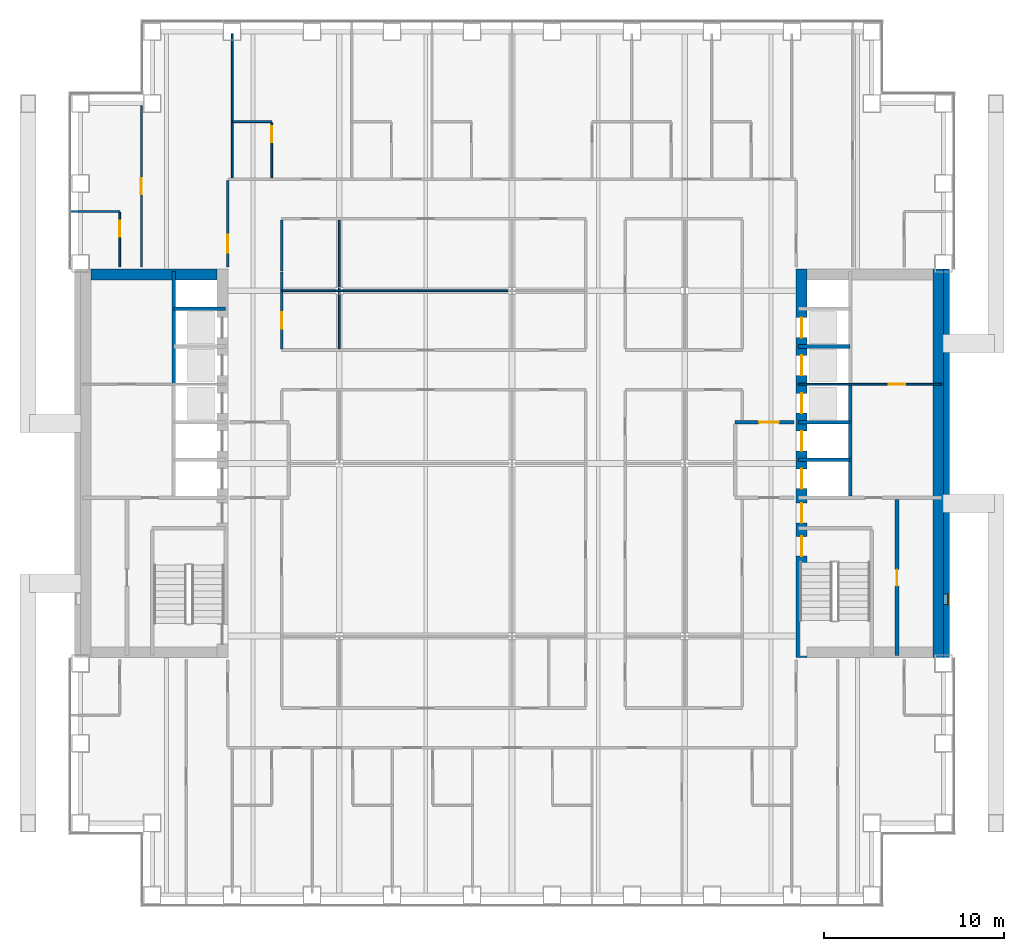
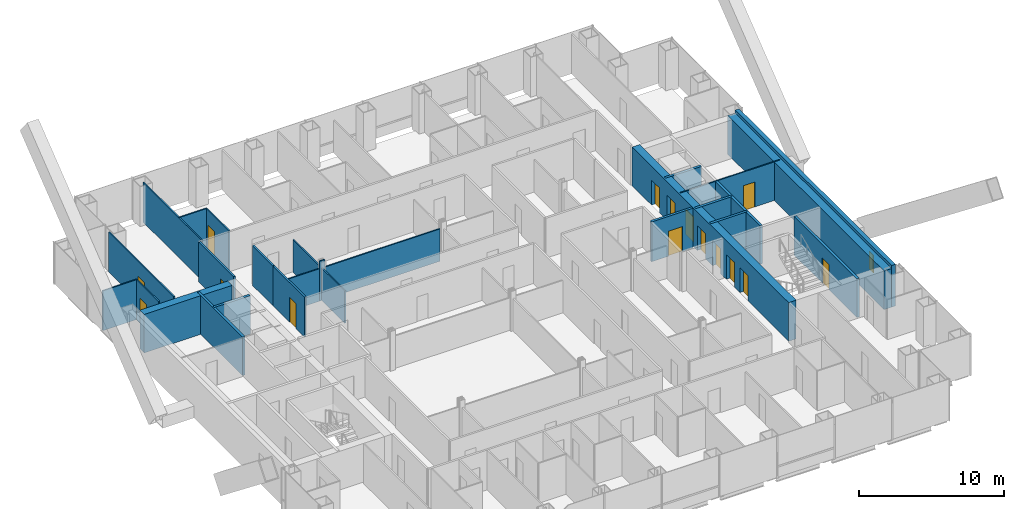
# One storey, part 19 of 23: 27 walls, 15 doors, 1 window, 16 openings.
"""IFC4 building model written with IfcOpenShell, lengths in metres."""

from ifc_helpers import new_model, si_unit, direction, frame, frame_2d, origin, place, context, subcontext, project, spatial, rectangle, extrude, material, layer, layer_set, type_object, element, fill, save


model = new_model("IFC4")

# Units and contexts
model_context = context("Model", 3, precision=1e-05, world=origin(), true_north=direction((0.0, 1.0)))
body_context = subcontext(model_context, "Body", "Model", "MODEL_VIEW")
ifc_project = project(units=[si_unit("LENGTHUNIT", "METRE"), si_unit("AREAUNIT", "SQUARE_METRE"), si_unit("VOLUMEUNIT", "CUBIC_METRE"), si_unit("PLANEANGLEUNIT", "RADIAN"), si_unit("MASSUNIT", "GRAM", prefix="KILO")], contexts=[model_context])

# Site, building, storey
site_placement = place(None, origin())
site = spatial("IfcSite", under=ifc_project, at=site_placement, CompositionType="ELEMENT")
building_placement = place(site_placement, origin())
building = spatial("IfcBuilding", under=site, at=building_placement, Name="Cobrizo Arcos Hotel Tower", CompositionType="ELEMENT")
storey_placement = place(building_placement, frame((0.0, 0.0, 56.5)))
storey = spatial("IfcBuildingStorey", under=building, at=storey_placement, Name="L12", CompositionType="ELEMENT", Elevation=56.5)

# Wall, opening, door
ifc_material_1 = material(Name="Gypsum board partition")
ifc_layer_1 = layer(ifc_material_1, 0.14990234375)
ifc_layer_set_1 = layer_set([ifc_layer_1], Name="Corridor wall EI 60 150")
wall_type_1 = type_object("IfcWallType", Name="Corridor wall EI 60 150", PredefinedType="PARTITIONING", material=ifc_layer_set_1)
wall_1_placement = place(storey_placement, frame((-15.800048828125, 10.919921875, 0.0), z_axis=(0.0, 0.0, 1.0), x_axis=(0.0, 1.0, 0.0)))
wall_1 = element("IfcWall", 1, at=wall_1_placement, inside=storey, type_object=wall_type_1, Name="Partition 073", PredefinedType="PARTITIONING", context=body_context, shape_type="SweptSolid", body=[
    extrude(rectangle(XDim=4.80517578125, YDim=0.14990234375, at=frame_2d((2.402587890625, 0.0))), origin(), (0.0, 0.0, 1.0), 3.35009765625),
])
opening_1_placement = place(wall_1_placement, frame((0.780029296875, 0.0, 0.0)))
opening_1 = element("IfcOpeningElement", 2, at=opening_1_placement, cuts=wall_1, Name="Opening GD-13", PredefinedType="OPENING", context=body_context, shape_type="SweptSolid", body=[
    extrude(rectangle(XDim=1.0, YDim=2.10009765625, at=frame_2d((0.5, 1.050048828125))), frame((0.0, 0.0869140625, 0.0), z_axis=(0.0, -1.0, 0.0), x_axis=(1.0, 0.0, 0.0)), (0.0, 0.0, 1.0), 0.173828125),
])
ifc_material_2 = material(Name="Timber door leaf", Category="wood")
door_type_1 = type_object("IfcDoorType", Name="Guest room door FD30S 1000x2100", OperationType="SINGLE_SWING_LEFT", PredefinedType="DOOR", material=ifc_material_2)
door_1_placement = place(opening_1_placement, origin())
door_1 = element("IfcDoor", 3, at=door_1_placement, inside=storey, type_object=door_type_1, Name="Door GD-13", OperationType="SINGLE_SWING_LEFT", OverallHeight=2.10009765625, OverallWidth=1.0, PredefinedType="DOOR", context=body_context, shape_type="SweptSolid", body=[
    extrude(rectangle(XDim=1.0, YDim=2.10009765625, at=frame_2d((0.5, 1.050048828125))), frame((0.0, 0.02490234375, 0.0), z_axis=(0.0, -1.0, 0.0), x_axis=(1.0, 0.0, 0.0)), (0.0, 0.0, 1.0), 0.050048828125),
])
fill(opening_1, door_1)

wall_2_placement = place(storey_placement, frame((-12.800048828125, 6.35009765625, 0.0), z_axis=(0.0, 0.0, 1.0), x_axis=(0.0, 1.0, 0.0)))
wall_2 = element("IfcWall", 4, at=wall_2_placement, inside=storey, type_object=wall_type_1, Name="Partition 080", PredefinedType="PARTITIONING", context=body_context, shape_type="SweptSolid", body=[
    extrude(rectangle(XDim=4.2998046875, YDim=0.14990234375, at=frame_2d((2.14990234375, 0.0))), origin(), (0.0, 0.0, 1.0), 3.35009765625),
])
opening_2_placement = place(wall_2_placement, frame((1.14990234375, 0.0, 0.0)))
opening_2 = element("IfcOpeningElement", 5, at=opening_2_placement, cuts=wall_2, Name="Opening RD-12", PredefinedType="OPENING", context=body_context, shape_type="SweptSolid", body=[
    extrude(rectangle(XDim=0.89990234375, YDim=2.10009765625, at=frame_2d((0.449951171875, 1.050048828125))), frame((0.0, 0.0869140625, 0.0), z_axis=(0.0, -1.0, 0.0), x_axis=(1.0, 0.0, 0.0)), (0.0, 0.0, 1.0), 0.173828125),
])
door_type_2 = type_object("IfcDoorType", Name="Room door FD30 900x2100", OperationType="SINGLE_SWING_LEFT", PredefinedType="DOOR", material=ifc_material_2)
door_2_placement = place(opening_2_placement, origin())
door_2 = element("IfcDoor", 6, at=door_2_placement, inside=storey, type_object=door_type_2, Name="Door RD-12", OperationType="SINGLE_SWING_RIGHT", OverallHeight=2.10009765625, OverallWidth=0.89990234375, PredefinedType="DOOR", context=body_context, shape_type="SweptSolid", body=[
    extrude(rectangle(XDim=0.89990234375, YDim=2.10009765625, at=frame_2d((0.449951171875, 1.050048828125))), frame((0.0, 0.02490234375, 0.0), z_axis=(0.0, -1.0, 0.0), x_axis=(1.0, 0.0, 0.0)), (0.0, 0.0, 1.0), 0.050048828125),
])
fill(opening_2, door_2)

# Wall
wall_3_placement = place(storey_placement, frame((-12.800048828125, 10.699951171875, 0.0), z_axis=(0.0, 0.0, 1.0), x_axis=(0.0, 1.0, 0.0)))
element("IfcWall", 7, at=wall_3_placement, inside=storey, type_object=wall_type_1, Name="Partition 081", PredefinedType="PARTITIONING", context=body_context, shape_type="SweptSolid", body=[
    extrude(rectangle(XDim=2.824951171875, YDim=0.14990234375, at=frame_2d((1.41259765625, 0.0))), origin(), (0.0, 0.0, 1.0), 3.35009765625),
])

# Wall, opening, window
ifc_material_3 = material(Name="Aluminium composite panel pale metal", Category="aluminium")
ifc_layer_2 = layer(ifc_material_3, 0.324951171875)
ifc_layer_set_2 = layer_set([ifc_layer_2], Name="EW-1 insulated panel wall 325")
wall_type_2 = type_object("IfcWallType", Name="EW-1 insulated panel wall 325", PredefinedType="SOLIDWALL", material=ifc_layer_set_2)
wall_4_placement = place(storey_placement, frame((24.16259765625, -10.800048828125, 0.0), z_axis=(0.0, 0.0, 1.0), x_axis=(0.0, 1.0, 0.0)))
wall_4 = element("IfcWall", 8, at=wall_4_placement, inside=storey, type_object=wall_type_2, Name="Core face wall L12 E", PredefinedType="SOLIDWALL", context=body_context, shape_type="SweptSolid", body=[
    extrude(rectangle(XDim=21.60009765625, YDim=0.324951171875, at=frame_2d((10.800048828125, 0.0))), origin(), (0.0, 0.0, 1.0), 3.5),
])
opening_3_placement = place(wall_4_placement, frame((2.949951171875, 0.0, 1.0)))
opening_3 = element("IfcOpeningElement", 9, at=opening_3_placement, cuts=wall_4, Name="Opening W-19", PredefinedType="OPENING", context=body_context, shape_type="SweptSolid", body=[
    extrude(rectangle(XDim=0.60009765625, YDim=1.5, at=frame_2d((0.300048828125, 0.75))), frame((0.0, 0.174560546875, 0.0), z_axis=(0.0, -1.0, 0.0), x_axis=(1.0, 0.0, 0.0)), (0.0, 0.0, 1.0), 0.348876953125),
])
ifc_material_4 = material(Name="Aluminium 6063-T6 and clear laminated glass", Category="aluminium")
window_type = type_object("IfcWindowType", Name="W-C1 core stair slot window 600x1500", PartitioningType="SINGLE_PANEL", PredefinedType="WINDOW", material=ifc_material_4)
window_placement = place(opening_3_placement, origin())
window = element("IfcWindow", 10, at=window_placement, inside=storey, type_object=window_type, Name="Core face wall L12 E window W-19", OverallHeight=1.5, OverallWidth=0.60009765625, PartitioningType="SINGLE_PANEL", PredefinedType="WINDOW", context=body_context, shape_type="SweptSolid", body=[
    extrude(rectangle(XDim=0.60009765625, YDim=1.5, at=frame_2d((0.300048828125, 0.75))), frame((0.0, -0.072509765625, 0.0), z_axis=(0.0, -1.0, 0.0), x_axis=(1.0, 0.0, 0.0)), (0.0, 0.0, 1.0), 0.06005859375),
])
fill(opening_3, window)

# Wall, opening, door
ifc_layer_3 = layer(ifc_material_1, 0.10009765625)
ifc_layer_set_3 = layer_set([ifc_layer_3], Name="Partition EI 30 100")
wall_type_3 = type_object("IfcWallType", Name="Partition EI 30 100", PredefinedType="PARTITIONING", material=ifc_layer_set_3)
wall_5_placement = place(storey_placement, frame((15.919921875, 4.39990234375, 0.0), z_axis=(0.0, 0.0, 1.0), x_axis=(1.0, 0.0, 0.0)))
wall_5 = element("IfcWall", 11, at=wall_5_placement, inside=storey, type_object=wall_type_3, Name="Partition 042", PredefinedType="PARTITIONING", context=body_context, shape_type="SweptSolid", body=[
    extrude(rectangle(XDim=7.9599609375, YDim=0.10009765625, at=frame_2d((3.97998046875, 0.0))), origin(), (0.0, 0.0, 1.0), 3.25),
])
opening_4_placement = place(wall_5_placement, frame((5.030029296875, 0.0, 0.0)))
opening_4 = element("IfcOpeningElement", 12, at=opening_4_placement, cuts=wall_5, Name="Opening RD-06", PredefinedType="OPENING", context=body_context, shape_type="SweptSolid", body=[
    extrude(rectangle(XDim=0.89990234375, YDim=2.10009765625, at=frame_2d((0.449951171875, 1.050048828125))), frame((0.0, 0.06201171875, 0.0), z_axis=(0.0, -1.0, 0.0), x_axis=(1.0, 0.0, 0.0)), (0.0, 0.0, 1.0), 0.1240234375),
])
door_3_placement = place(opening_4_placement, origin())
door_3 = element("IfcDoor", 13, at=door_3_placement, inside=storey, type_object=door_type_2, Name="Door RD-06", OperationType="SINGLE_SWING_RIGHT", OverallHeight=2.10009765625, OverallWidth=0.89990234375, PredefinedType="DOOR", context=body_context, shape_type="SweptSolid", body=[
    extrude(rectangle(XDim=0.89990234375, YDim=2.10009765625, at=frame_2d((0.449951171875, 1.050048828125))), frame((0.0, 0.02490234375, 0.0), z_axis=(0.0, -1.0, 0.0), x_axis=(1.0, 0.0, 0.0)), (0.0, 0.0, 1.0), 0.050048828125),
])
fill(opening_4, door_3)

# Walls
wall_6_placement = place(storey_placement, frame((-12.800048828125, 9.60009765625, 0.0), z_axis=(0.0, 0.0, 1.0), x_axis=(1.0, 0.0, 0.0)))
element("IfcWall", 14, at=wall_6_placement, inside=storey, type_object=wall_type_3, Name="Partition 049", PredefinedType="PARTITIONING", context=body_context, shape_type="SweptSolid", body=[
    extrude(rectangle(XDim=2.99609375, YDim=0.10009765625, at=frame_2d((1.498046875, 0.0))), origin(), (0.0, 0.0, 1.0), 2.72802734375),
])
wall_7_placement = place(storey_placement, frame((-9.803955078125, 9.60009765625, 0.0), z_axis=(0.0, 0.0, 1.0), x_axis=(1.0, 0.0, 0.0)))
element("IfcWall", 15, at=wall_7_placement, inside=storey, type_object=wall_type_3, Name="Partition 050", PredefinedType="PARTITIONING", context=body_context, shape_type="SweptSolid", body=[
    extrude(rectangle(XDim=0.407958984375, YDim=0.10009765625, at=frame_2d((0.2041015625, 0.0))), origin(), (0.0, 0.0, 1.0), 3.35009765625),
])
wall_8_placement = place(storey_placement, frame((-9.39599609375, 9.60009765625, 0.0), z_axis=(0.0, 0.0, 1.0), x_axis=(1.0, 0.0, 0.0)))
element("IfcWall", 16, at=wall_8_placement, inside=storey, type_object=wall_type_3, Name="Partition 051", PredefinedType="PARTITIONING", context=body_context, shape_type="SweptSolid", body=[
    extrude(rectangle(XDim=9.19189453125, YDim=0.10009765625, at=frame_2d((4.595947265625, 0.0))), origin(), (0.0, 0.0, 1.0), 2.72802734375),
])
wall_9_placement = place(storey_placement, frame((-24.530029296875, 14.0, 0.0), z_axis=(0.0, 0.0, 1.0), x_axis=(1.0, 0.0, 0.0)))
element("IfcWall", 17, at=wall_9_placement, inside=storey, type_object=wall_type_3, Name="Partition 056", PredefinedType="PARTITIONING", context=body_context, shape_type="SweptSolid", body=[
    extrude(rectangle(XDim=2.72998046875, YDim=0.10009765625, at=frame_2d((1.364990234375, 0.0))), origin(), (0.0, 0.0, 1.0), 3.35009765625),
])
wall_10_placement = place(storey_placement, frame((-15.550048828125, 19.0, 0.0), z_axis=(0.0, 0.0, 1.0), x_axis=(1.0, 0.0, 0.0)))
element("IfcWall", 18, at=wall_10_placement, inside=storey, type_object=wall_type_3, Name="Partition 059", PredefinedType="PARTITIONING", context=body_context, shape_type="SweptSolid", body=[
    extrude(rectangle(XDim=2.199951171875, YDim=0.10009765625, at=frame_2d((1.10009765625, 0.0))), origin(), (0.0, 0.0, 1.0), 3.35009765625),
])

# Wall, opening, door
wall_11_placement = place(storey_placement, frame((-21.800048828125, 10.919921875, 0.0), z_axis=(0.0, 0.0, 1.0), x_axis=(0.0, 1.0, 0.0)))
wall_11 = element("IfcWall", 19, at=wall_11_placement, inside=storey, type_object=wall_type_3, Name="Partition 065", PredefinedType="PARTITIONING", context=body_context, shape_type="SweptSolid", body=[
    extrude(rectangle(XDim=3.030029296875, YDim=0.10009765625, at=frame_2d((1.51513671875, 0.0))), origin(), (0.0, 0.0, 1.0), 3.35009765625),
])
opening_5_placement = place(wall_11_placement, frame((1.669921875, 0.0, 0.0)))
opening_5 = element("IfcOpeningElement", 20, at=opening_5_placement, cuts=wall_11, Name="Opening ED-13", PredefinedType="OPENING", context=body_context, shape_type="SweptSolid", body=[
    extrude(rectangle(XDim=0.89990234375, YDim=2.10009765625, at=frame_2d((0.449951171875, 1.050048828125))), frame((0.0, 0.06201171875, 0.0), z_axis=(0.0, -1.0, 0.0), x_axis=(1.0, 0.0, 0.0)), (0.0, 0.0, 1.0), 0.1240234375),
])
door_type_3 = type_object("IfcDoorType", Name="En-suite door 900x2100", OperationType="SINGLE_SWING_LEFT", PredefinedType="DOOR", material=ifc_material_2)
door_4_placement = place(opening_5_placement, origin())
door_4 = element("IfcDoor", 21, at=door_4_placement, inside=storey, type_object=door_type_3, Name="Door ED-13", OperationType="SINGLE_SWING_RIGHT", OverallHeight=2.10009765625, OverallWidth=0.89990234375, PredefinedType="DOOR", context=body_context, shape_type="SweptSolid", body=[
    extrude(rectangle(XDim=0.89990234375, YDim=2.10009765625, at=frame_2d((0.449951171875, 1.050048828125))), frame((0.0, 0.02490234375, 0.0), z_axis=(0.0, -1.0, 0.0), x_axis=(1.0, 0.0, 0.0)), (0.0, 0.0, 1.0), 0.050048828125),
])
fill(opening_5, door_4)

wall_12_placement = place(storey_placement, frame((-20.60009765625, 10.919921875, 0.0), z_axis=(0.0, 0.0, 1.0), x_axis=(0.0, 1.0, 0.0)))
wall_12 = element("IfcWall", 22, at=wall_12_placement, inside=storey, type_object=wall_type_3, Name="Partition 067", PredefinedType="PARTITIONING", context=body_context, shape_type="SweptSolid", body=[
    extrude(rectangle(XDim=8.9599609375, YDim=0.10009765625, at=frame_2d((4.47998046875, 0.0))), origin(), (0.0, 0.0, 1.0), 3.35009765625),
])
opening_6_placement = place(wall_12_placement, frame((4.030029296875, 0.0, 0.0)))
opening_6 = element("IfcOpeningElement", 23, at=opening_6_placement, cuts=wall_12, Name="Opening RD-09", PredefinedType="OPENING", context=body_context, shape_type="SweptSolid", body=[
    extrude(rectangle(XDim=0.89990234375, YDim=2.10009765625, at=frame_2d((0.449951171875, 1.050048828125))), frame((0.0, 0.06201171875, 0.0), z_axis=(0.0, -1.0, 0.0), x_axis=(1.0, 0.0, 0.0)), (0.0, 0.0, 1.0), 0.1240234375),
])
door_5_placement = place(opening_6_placement, origin())
door_5 = element("IfcDoor", 24, at=door_5_placement, inside=storey, type_object=door_type_2, Name="Door RD-09", OperationType="SINGLE_SWING_RIGHT", OverallHeight=2.10009765625, OverallWidth=0.89990234375, PredefinedType="DOOR", context=body_context, shape_type="SweptSolid", body=[
    extrude(rectangle(XDim=0.89990234375, YDim=2.10009765625, at=frame_2d((0.449951171875, 1.050048828125))), frame((0.0, 0.02490234375, 0.0), z_axis=(0.0, -1.0, 0.0), x_axis=(1.0, 0.0, 0.0)), (0.0, 0.0, 1.0), 0.050048828125),
])
fill(opening_6, door_5)

# Wall
wall_13_placement = place(storey_placement, frame((-15.550048828125, 15.875, 0.0), z_axis=(0.0, 0.0, 1.0), x_axis=(0.0, 1.0, 0.0)))
element("IfcWall", 25, at=wall_13_placement, inside=storey, type_object=wall_type_3, Name="Partition 075", PredefinedType="PARTITIONING", context=body_context, shape_type="SweptSolid", body=[
    extrude(rectangle(XDim=8.0048828125, YDim=0.10009765625, at=frame_2d((4.00244140625, 0.0))), origin(), (0.0, 0.0, 1.0), 3.35009765625),
])

# Wall, opening, door
wall_14_placement = place(storey_placement, frame((-13.35009765625, 15.875, 0.0), z_axis=(0.0, 0.0, 1.0), x_axis=(0.0, 1.0, 0.0)))
wall_14 = element("IfcWall", 26, at=wall_14_placement, inside=storey, type_object=wall_type_3, Name="Partition 077", PredefinedType="PARTITIONING", context=body_context, shape_type="SweptSolid", body=[
    extrude(rectangle(XDim=3.074951171875, YDim=0.10009765625, at=frame_2d((1.53759765625, 0.0))), origin(), (0.0, 0.0, 1.0), 3.35009765625),
])
opening_7_placement = place(wall_14_placement, frame((1.970947265625, 0.0, 0.0)))
opening_7 = element("IfcOpeningElement", 27, at=opening_7_placement, cuts=wall_14, Name="Opening ED-01", PredefinedType="OPENING", context=body_context, shape_type="SweptSolid", body=[
    extrude(rectangle(XDim=0.89990234375, YDim=2.10009765625, at=frame_2d((0.449951171875, 1.050048828125))), frame((0.0, 0.06201171875, 0.0), z_axis=(0.0, -1.0, 0.0), x_axis=(1.0, 0.0, 0.0)), (0.0, 0.0, 1.0), 0.1240234375),
])
door_6_placement = place(opening_7_placement, origin())
door_6 = element("IfcDoor", 28, at=door_6_placement, inside=storey, type_object=door_type_3, Name="Door ED-01", OperationType="SINGLE_SWING_RIGHT", OverallHeight=2.10009765625, OverallWidth=0.89990234375, PredefinedType="DOOR", context=body_context, shape_type="SweptSolid", body=[
    extrude(rectangle(XDim=0.89990234375, YDim=2.10009765625, at=frame_2d((0.449951171875, 1.050048828125))), frame((0.0, 0.02490234375, 0.0), z_axis=(0.0, -1.0, 0.0), x_axis=(1.0, 0.0, 0.0)), (0.0, 0.0, 1.0), 0.050048828125),
])
fill(opening_7, door_6)

# Walls
wall_15_placement = place(storey_placement, frame((-9.60009765625, 6.375, 0.0), z_axis=(0.0, 0.0, 1.0), x_axis=(0.0, 1.0, 0.0)))
element("IfcWall", 29, at=wall_15_placement, inside=storey, type_object=wall_type_3, Name="Partition 086", PredefinedType="PARTITIONING", context=body_context, shape_type="SweptSolid", body=[
    extrude(rectangle(XDim=3.175048828125, YDim=0.10009765625, at=frame_2d((1.58740234375, 0.0))), origin(), (0.0, 0.0, 1.0), 2.72802734375),
])
wall_16_placement = place(storey_placement, frame((-9.60009765625, 9.64990234375, 0.0), z_axis=(0.0, 0.0, 1.0), x_axis=(0.0, 1.0, 0.0)))
element("IfcWall", 30, at=wall_16_placement, inside=storey, type_object=wall_type_3, Name="Partition 087", PredefinedType="PARTITIONING", context=body_context, shape_type="SweptSolid", body=[
    extrude(rectangle(XDim=3.875, YDim=0.10009765625, at=frame_2d((1.9375, 0.0))), origin(), (0.0, 0.0, 1.0), 2.72802734375),
])

# Wall, openings, doors
ifc_material_5 = material(Name="Concrete f'c 60 MPa", Category="concrete")
ifc_layer_4 = layer(ifc_material_5, 0.60009765625)
ifc_layer_set_4 = layer_set([ifc_layer_4], Name="RC core wall 600 f'c 60")
wall_type_4 = type_object("IfcWallType", Name="RC core wall 600 f'c 60", PredefinedType="SHEAR", material=ifc_layer_set_4)
wall_17_placement = place(storey_placement, frame((16.10009765625, -10.800048828125, 0.0), z_axis=(0.0, 0.0, 1.0), x_axis=(0.0, 1.0, 0.0)))
wall_17 = element("IfcWall", 31, at=wall_17_placement, inside=storey, type_object=wall_type_4, Name="Core wall CW1, east core, inner face, L12", PredefinedType="SHEAR", context=body_context, shape_type="SweptSolid", body=[
    extrude(rectangle(XDim=21.60009765625, YDim=0.60009765625, at=frame_2d((10.800048828125, 0.0))), origin(), (0.0, 0.0, 1.0), 3.25),
])
opening_8_placement = place(wall_17_placement, frame((9.39990234375, 0.0, 0.0)))
opening_8 = element("IfcOpeningElement", 32, at=opening_8_placement, cuts=wall_17, Name="Opening LD-06", PredefinedType="OPENING", context=body_context, shape_type="SweptSolid", body=[
    extrude(rectangle(XDim=1.10009765625, YDim=2.10009765625, at=frame_2d((0.550048828125, 1.050048828125))), frame((0.0, 0.31201171875, 0.0), z_axis=(0.0, -1.0, 0.0), x_axis=(1.0, 0.0, 0.0)), (0.0, 0.0, 1.0), 0.6240234375),
])
opening_9_placement = place(wall_17_placement, frame((11.5, 0.0, 0.0)))
opening_9 = element("IfcOpeningElement", 33, at=opening_9_placement, cuts=wall_17, Name="Opening LD-07", PredefinedType="OPENING", context=body_context, shape_type="SweptSolid", body=[
    extrude(rectangle(XDim=1.10009765625, YDim=2.10009765625, at=frame_2d((0.550048828125, 1.050048828125))), frame((0.0, 0.31201171875, 0.0), z_axis=(0.0, -1.0, 0.0), x_axis=(1.0, 0.0, 0.0)), (0.0, 0.0, 1.0), 0.6240234375),
])
opening_10_placement = place(wall_17_placement, frame((13.60009765625, 0.0, 0.0)))
opening_10 = element("IfcOpeningElement", 34, at=opening_10_placement, cuts=wall_17, Name="Opening LD-08", PredefinedType="OPENING", context=body_context, shape_type="SweptSolid", body=[
    extrude(rectangle(XDim=1.10009765625, YDim=2.10009765625, at=frame_2d((0.550048828125, 1.050048828125))), frame((0.0, 0.31201171875, 0.0), z_axis=(0.0, -1.0, 0.0), x_axis=(1.0, 0.0, 0.0)), (0.0, 0.0, 1.0), 0.6240234375),
])
opening_11_placement = place(wall_17_placement, frame((15.699951171875, 0.0, 0.0)))
opening_11 = element("IfcOpeningElement", 35, at=opening_11_placement, cuts=wall_17, Name="Opening LD-09", PredefinedType="OPENING", context=body_context, shape_type="SweptSolid", body=[
    extrude(rectangle(XDim=1.10009765625, YDim=2.10009765625, at=frame_2d((0.550048828125, 1.050048828125))), frame((0.0, 0.31201171875, 0.0), z_axis=(0.0, -1.0, 0.0), x_axis=(1.0, 0.0, 0.0)), (0.0, 0.0, 1.0), 0.6240234375),
])
opening_12_placement = place(wall_17_placement, frame((17.800048828125, 0.0, 0.0)))
opening_12 = element("IfcOpeningElement", 36, at=opening_12_placement, cuts=wall_17, Name="Opening LD-10", PredefinedType="OPENING", context=body_context, shape_type="SweptSolid", body=[
    extrude(rectangle(XDim=1.10009765625, YDim=2.10009765625, at=frame_2d((0.550048828125, 1.050048828125))), frame((0.0, 0.31201171875, 0.0), z_axis=(0.0, -1.0, 0.0), x_axis=(1.0, 0.0, 0.0)), (0.0, 0.0, 1.0), 0.6240234375),
])
opening_13_placement = place(wall_17_placement, frame((5.64208984375, 0.0, 0.0)))
opening_13 = element("IfcOpeningElement", 37, at=opening_13_placement, cuts=wall_17, Name="Opening SD-02", PredefinedType="OPENING", context=body_context, shape_type="SweptSolid", body=[
    extrude(rectangle(XDim=1.10009765625, YDim=2.10009765625, at=frame_2d((0.550048828125, 1.050048828125))), frame((0.0, 0.31201171875, 0.0), z_axis=(0.0, -1.0, 0.0), x_axis=(1.0, 0.0, 0.0)), (0.0, 0.0, 1.0), 0.6240234375),
])
opening_14_placement = place(wall_17_placement, frame((7.5, 0.0, 0.0)))
opening_14 = element("IfcOpeningElement", 38, at=opening_14_placement, cuts=wall_17, Name="Opening FD-04", PredefinedType="OPENING", context=body_context, shape_type="SweptSolid", body=[
    extrude(rectangle(XDim=1.10009765625, YDim=2.10009765625, at=frame_2d((0.550048828125, 1.050048828125))), frame((0.0, 0.31201171875, 0.0), z_axis=(0.0, -1.0, 0.0), x_axis=(1.0, 0.0, 0.0)), (0.0, 0.0, 1.0), 0.6240234375),
])
ifc_material_6 = material(Name="Steel door leaf", Category="steel")
door_type_4 = type_object("IfcDoorType", Name="Fire door FD60 1100x2100", OperationType="SINGLE_SWING_LEFT", PredefinedType="DOOR", material=ifc_material_6)
door_7_placement = place(opening_14_placement, origin())
door_7 = element("IfcDoor", 39, at=door_7_placement, inside=storey, type_object=door_type_4, Name="Door FD-04", OperationType="SINGLE_SWING_LEFT", OverallHeight=2.10009765625, OverallWidth=1.10009765625, PredefinedType="DOOR", context=body_context, shape_type="SweptSolid", body=[
    extrude(rectangle(XDim=1.10009765625, YDim=2.10009765625, at=frame_2d((0.550048828125, 1.050048828125))), frame((0.0, 0.02490234375, 0.0), z_axis=(0.0, -1.0, 0.0), x_axis=(1.0, 0.0, 0.0)), (0.0, 0.0, 1.0), 0.050048828125),
])
fill(opening_14, door_7)
door_type_5 = type_object("IfcDoorType", Name="Lift landing door 1100x2100", OperationType="SLIDING_TO_LEFT", PredefinedType="DOOR", material=ifc_material_6)
door_8_placement = place(opening_8_placement, origin())
door_8 = element("IfcDoor", 40, at=door_8_placement, inside=storey, type_object=door_type_5, Name="Lift landing door LD-06", OperationType="SLIDING_TO_LEFT", OverallHeight=2.10009765625, OverallWidth=1.10009765625, PredefinedType="DOOR", context=body_context, shape_type="SweptSolid", body=[
    extrude(rectangle(XDim=1.10009765625, YDim=2.10009765625, at=frame_2d((0.550048828125, 1.050048828125))), frame((0.0, 0.02490234375, 0.0), z_axis=(0.0, -1.0, 0.0), x_axis=(1.0, 0.0, 0.0)), (0.0, 0.0, 1.0), 0.050048828125),
])
fill(opening_8, door_8)
door_9_placement = place(opening_9_placement, origin())
door_9 = element("IfcDoor", 41, at=door_9_placement, inside=storey, type_object=door_type_5, Name="Lift landing door LD-07", OperationType="SLIDING_TO_LEFT", OverallHeight=2.10009765625, OverallWidth=1.10009765625, PredefinedType="DOOR", context=body_context, shape_type="SweptSolid", body=[
    extrude(rectangle(XDim=1.10009765625, YDim=2.10009765625, at=frame_2d((0.550048828125, 1.050048828125))), frame((0.0, 0.02490234375, 0.0), z_axis=(0.0, -1.0, 0.0), x_axis=(1.0, 0.0, 0.0)), (0.0, 0.0, 1.0), 0.050048828125),
])
fill(opening_9, door_9)
door_10_placement = place(opening_10_placement, origin())
door_10 = element("IfcDoor", 42, at=door_10_placement, inside=storey, type_object=door_type_5, Name="Lift landing door LD-08", OperationType="SLIDING_TO_LEFT", OverallHeight=2.10009765625, OverallWidth=1.10009765625, PredefinedType="DOOR", context=body_context, shape_type="SweptSolid", body=[
    extrude(rectangle(XDim=1.10009765625, YDim=2.10009765625, at=frame_2d((0.550048828125, 1.050048828125))), frame((0.0, 0.02490234375, 0.0), z_axis=(0.0, -1.0, 0.0), x_axis=(1.0, 0.0, 0.0)), (0.0, 0.0, 1.0), 0.050048828125),
])
fill(opening_10, door_10)
door_11_placement = place(opening_11_placement, origin())
door_11 = element("IfcDoor", 43, at=door_11_placement, inside=storey, type_object=door_type_5, Name="Lift landing door LD-09", OperationType="SLIDING_TO_LEFT", OverallHeight=2.10009765625, OverallWidth=1.10009765625, PredefinedType="DOOR", context=body_context, shape_type="SweptSolid", body=[
    extrude(rectangle(XDim=1.10009765625, YDim=2.10009765625, at=frame_2d((0.550048828125, 1.050048828125))), frame((0.0, 0.02490234375, 0.0), z_axis=(0.0, -1.0, 0.0), x_axis=(1.0, 0.0, 0.0)), (0.0, 0.0, 1.0), 0.050048828125),
])
fill(opening_11, door_11)
door_12_placement = place(opening_12_placement, origin())
door_12 = element("IfcDoor", 44, at=door_12_placement, inside=storey, type_object=door_type_5, Name="Lift landing door LD-10", OperationType="SLIDING_TO_LEFT", OverallHeight=2.10009765625, OverallWidth=1.10009765625, PredefinedType="DOOR", context=body_context, shape_type="SweptSolid", body=[
    extrude(rectangle(XDim=1.10009765625, YDim=2.10009765625, at=frame_2d((0.550048828125, 1.050048828125))), frame((0.0, 0.02490234375, 0.0), z_axis=(0.0, -1.0, 0.0), x_axis=(1.0, 0.0, 0.0)), (0.0, 0.0, 1.0), 0.050048828125),
])
fill(opening_12, door_12)
door_type_6 = type_object("IfcDoorType", Name="Stair door FD60S 1100x2100", OperationType="SINGLE_SWING_LEFT", PredefinedType="DOOR", material=ifc_material_6)
door_13_placement = place(opening_13_placement, origin())
door_13 = element("IfcDoor", 45, at=door_13_placement, inside=storey, type_object=door_type_6, Name="Door SD-02", OperationType="SINGLE_SWING_RIGHT", OverallHeight=2.10009765625, OverallWidth=1.10009765625, PredefinedType="DOOR", context=body_context, shape_type="SweptSolid", body=[
    extrude(rectangle(XDim=1.10009765625, YDim=2.10009765625, at=frame_2d((0.550048828125, 1.050048828125))), frame((0.0, 0.02490234375, 0.0), z_axis=(0.0, -1.0, 0.0), x_axis=(1.0, 0.0, 0.0)), (0.0, 0.0, 1.0), 0.050048828125),
])
fill(opening_13, door_13)

# Walls
wall_18_placement = place(storey_placement, frame((23.699951171875, -10.800048828125, 0.0), z_axis=(0.0, 0.0, 1.0), x_axis=(0.0, 1.0, 0.0)))
element("IfcWall", 46, at=wall_18_placement, inside=storey, type_object=wall_type_4, Name="Core wall CW1, east core, outer face, L12", PredefinedType="SHEAR", context=body_context, shape_type="SweptSolid", body=[
    extrude(rectangle(XDim=21.60009765625, YDim=0.60009765625, at=frame_2d((10.800048828125, 0.0))), origin(), (0.0, 0.0, 1.0), 3.25),
])
wall_19_placement = place(storey_placement, frame((-23.39990234375, 10.5, 0.0), z_axis=(0.0, 0.0, 1.0), x_axis=(1.0, 0.0, 0.0)))
element("IfcWall", 47, at=wall_19_placement, inside=storey, type_object=wall_type_4, Name="Core wall CW1, west core, north end, L12", PredefinedType="SHEAR", context=body_context, shape_type="SweptSolid", body=[
    extrude(rectangle(XDim=7.0, YDim=0.60009765625, at=frame_2d((3.5, 0.0))), origin(), (0.0, 0.0, 1.0), 3.25),
])
ifc_layer_5 = layer(ifc_material_1, 0.199951171875)
ifc_layer_set_5 = layer_set([ifc_layer_5], Name="Shaft wall EI 120 200")
wall_type_5 = type_object("IfcWallType", Name="Shaft wall EI 120 200", PredefinedType="PARTITIONING", material=ifc_layer_set_5)
wall_20_placement = place(storey_placement, frame((15.919921875, 0.199951171875, 0.0), z_axis=(0.0, 0.0, 1.0), x_axis=(1.0, 0.0, 0.0)))
element("IfcWall", 48, at=wall_20_placement, inside=storey, type_object=wall_type_5, Name="Partition 034", PredefinedType="PARTITIONING", context=body_context, shape_type="SweptSolid", body=[
    extrude(rectangle(XDim=2.880126953125, YDim=0.199951171875, at=frame_2d((1.43994140625, 0.0))), origin(), (0.0, 0.0, 1.0), 3.25),
])

# Wall, opening, door
wall_21_placement = place(storey_placement, frame((12.39990234375, 2.300048828125, 0.0), z_axis=(0.0, 0.0, 1.0), x_axis=(1.0, 0.0, 0.0)))
wall_21 = element("IfcWall", 49, at=wall_21_placement, inside=storey, type_object=wall_type_5, Name="Partition 037", PredefinedType="PARTITIONING", context=body_context, shape_type="SweptSolid", body=[
    extrude(rectangle(XDim=3.280029296875, YDim=0.199951171875, at=frame_2d((1.64013671875, 0.0))), origin(), (0.0, 0.0, 1.0), 3.35009765625),
])
opening_15_placement = place(wall_21_placement, frame((1.340087890625, 0.0, 0.0)))
opening_15 = element("IfcOpeningElement", 50, at=opening_15_placement, cuts=wall_21, Name="Opening FD-05", PredefinedType="OPENING", context=body_context, shape_type="SweptSolid", body=[
    extrude(rectangle(XDim=1.10009765625, YDim=2.10009765625, at=frame_2d((0.550048828125, 1.050048828125))), frame((0.0, 0.112060546875, 0.0), z_axis=(0.0, -1.0, 0.0), x_axis=(1.0, 0.0, 0.0)), (0.0, 0.0, 1.0), 0.223876953125),
])
door_14_placement = place(opening_15_placement, origin())
door_14 = element("IfcDoor", 51, at=door_14_placement, inside=storey, type_object=door_type_4, Name="Door FD-05", OperationType="SINGLE_SWING_LEFT", OverallHeight=2.10009765625, OverallWidth=1.10009765625, PredefinedType="DOOR", context=body_context, shape_type="SweptSolid", body=[
    extrude(rectangle(XDim=1.10009765625, YDim=2.10009765625, at=frame_2d((0.550048828125, 1.050048828125))), frame((0.0, 0.02490234375, 0.0), z_axis=(0.0, -1.0, 0.0), x_axis=(1.0, 0.0, 0.0)), (0.0, 0.0, 1.0), 0.050048828125),
])
fill(opening_15, door_14)

# Walls
for number, where, z_axis, x_axis, name in (
    (52, (15.919921875, 2.300048828125, 0.0), (0.0, 0.0, 1.0), (1.0, 0.0, 0.0), "Partition 038"),
    (53, (15.919921875, 6.5, 0.0), (0.0, 0.0, 1.0), (1.0, 0.0, 0.0), "Partition 046"),
    (54, (-18.800048828125, 8.60009765625, 0.0), (0.0, 0.0, 1.0), (1.0, 0.0, 0.0), "Partition 047"),
):
    element("IfcWall", number, at=place(storey_placement, frame(where, z_axis=z_axis, x_axis=x_axis)), inside=storey, type_object=wall_type_5, Name=name, PredefinedType="PARTITIONING", context=body_context, shape_type="SweptSolid", body=[
        extrude(rectangle(XDim=2.880126953125, YDim=0.199951171875, at=frame_2d((1.43994140625, 0.0))), origin(), (0.0, 0.0, 1.0), 3.25),
    ])
wall_22_placement = place(storey_placement, frame((-18.800048828125, 4.449951171875, 0.0), z_axis=(0.0, 0.0, 1.0), x_axis=(0.0, 1.0, 0.0)))
element("IfcWall", 55, at=wall_22_placement, inside=storey, type_object=wall_type_5, Name="Partition 070", PredefinedType="PARTITIONING", context=body_context, shape_type="SweptSolid", body=[
    extrude(rectangle(XDim=6.22998046875, YDim=0.199951171875, at=frame_2d((3.114990234375, 0.0))), origin(), (0.0, 0.0, 1.0), 3.25),
])
wall_23_placement = place(storey_placement, frame((18.800048828125, -1.800048828125, 0.0), z_axis=(0.0, 0.0, 1.0), x_axis=(0.0, 1.0, 0.0)))
element("IfcWall", 56, at=wall_23_placement, inside=storey, type_object=wall_type_5, Name="Partition 133", PredefinedType="PARTITIONING", context=body_context, shape_type="SweptSolid", body=[
    extrude(rectangle(XDim=6.150146484375, YDim=0.199951171875, at=frame_2d((3.0751953125, 0.0))), origin(), (0.0, 0.0, 1.0), 3.25),
])

# Wall, opening, door
wall_24_placement = place(storey_placement, frame((21.39990234375, -10.679931640625, 0.0), z_axis=(0.0, 0.0, 1.0), x_axis=(0.0, 1.0, 0.0)))
wall_24 = element("IfcWall", 57, at=wall_24_placement, inside=storey, type_object=wall_type_5, Name="Partition 137", PredefinedType="PARTITIONING", context=body_context, shape_type="SweptSolid", body=[
    extrude(rectangle(XDim=8.679931640625, YDim=0.199951171875, at=frame_2d((4.33984375, 0.0))), origin(), (0.0, 0.0, 1.0), 3.25),
])
opening_16_placement = place(wall_24_placement, frame((3.8798828125, 0.0, 0.0)))
opening_16 = element("IfcOpeningElement", 58, at=opening_16_placement, cuts=wall_24, Name="Opening RD-04", PredefinedType="OPENING", context=body_context, shape_type="SweptSolid", body=[
    extrude(rectangle(XDim=0.89990234375, YDim=2.10009765625, at=frame_2d((0.449951171875, 1.050048828125))), frame((0.0, 0.112060546875, 0.0), z_axis=(0.0, -1.0, 0.0), x_axis=(1.0, 0.0, 0.0)), (0.0, 0.0, 1.0), 0.223876953125),
])
door_15_placement = place(opening_16_placement, origin())
door_15 = element("IfcDoor", 59, at=door_15_placement, inside=storey, type_object=door_type_2, Name="Door RD-04", OperationType="SINGLE_SWING_RIGHT", OverallHeight=2.10009765625, OverallWidth=0.89990234375, PredefinedType="DOOR", context=body_context, shape_type="SweptSolid", body=[
    extrude(rectangle(XDim=0.89990234375, YDim=2.10009765625, at=frame_2d((0.449951171875, 1.050048828125))), frame((0.0, 0.02490234375, 0.0), z_axis=(0.0, -1.0, 0.0), x_axis=(1.0, 0.0, 0.0)), (0.0, 0.0, 1.0), 0.050048828125),
])
fill(opening_16, door_15)

save(model, "model.ifc")
